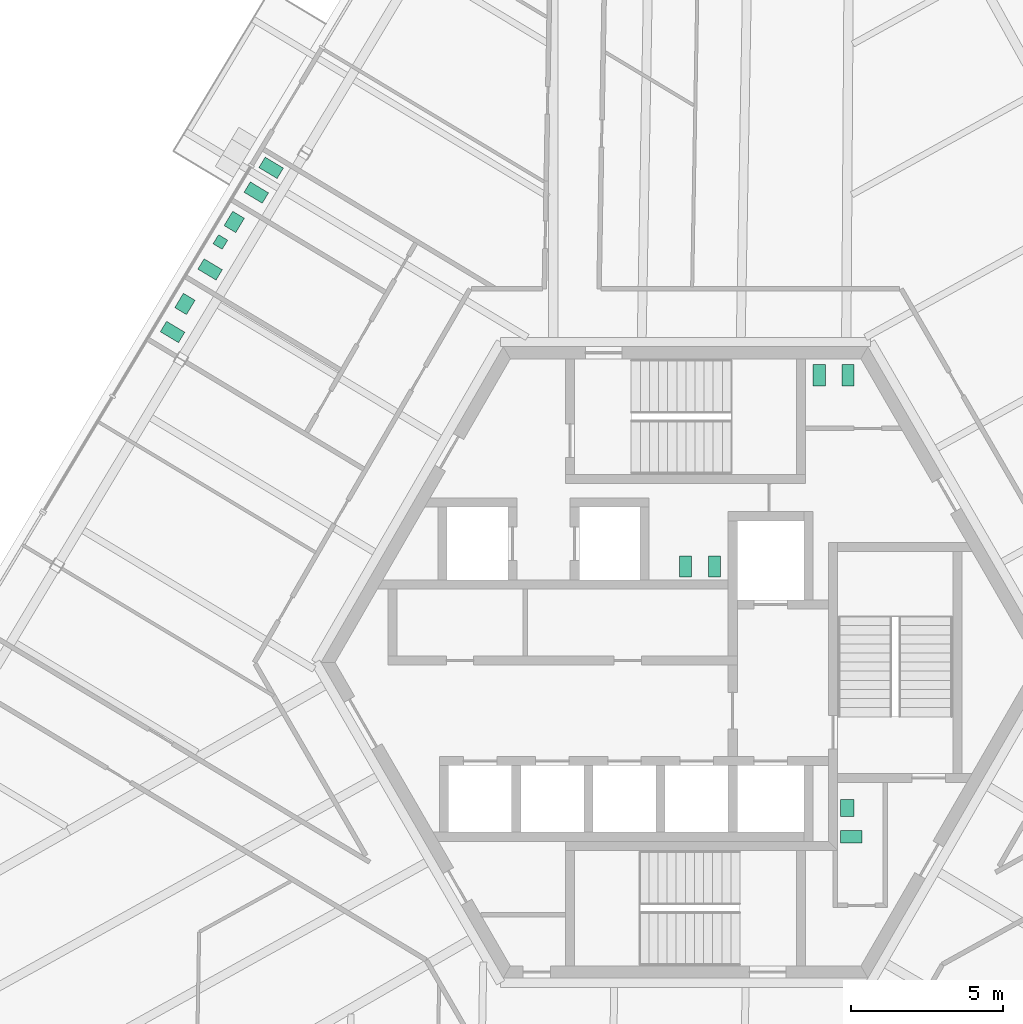
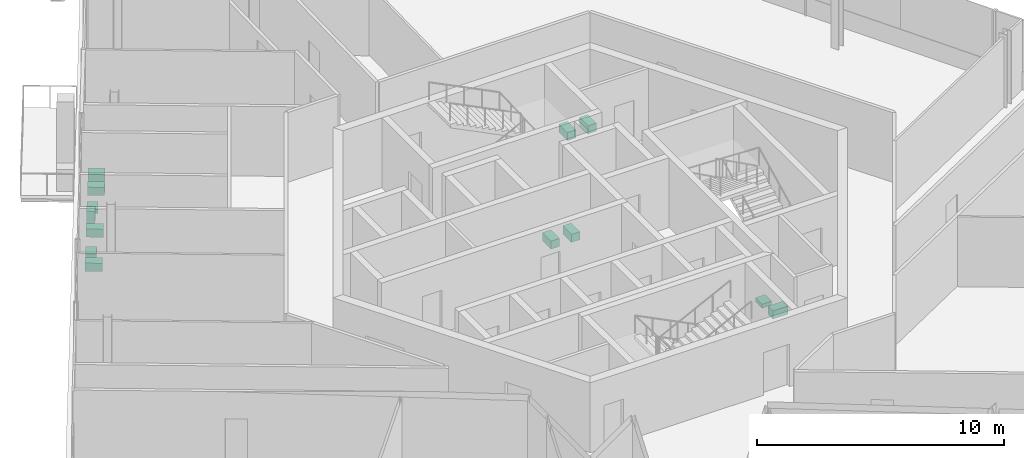
# One storey, part 17 of 19: 13 sanitary terminals.
"""IFC4 building model written with IfcOpenShell, lengths in metres."""

from ifc_helpers import new_model, si_unit, direction, frame, origin, origin_2d, place, context, subcontext, project, spatial, rectangle, extrude, source, transform, mapped, material, element, save


model = new_model("IFC4")

# Units and contexts
model_context = context("Model", 3, precision=1e-05, world=origin(), true_north=direction((0.0, 1.0)))
body_context = subcontext(model_context, "Body", "Model", "MODEL_VIEW")
ifc_project = project(units=[si_unit("LENGTHUNIT", "METRE"), si_unit("AREAUNIT", "SQUARE_METRE"), si_unit("VOLUMEUNIT", "CUBIC_METRE"), si_unit("PLANEANGLEUNIT", "RADIAN"), si_unit("MASSUNIT", "GRAM", prefix="KILO")], contexts=[model_context])

# Site, building, storey
site_placement = place(None, origin())
site = spatial("IfcSite", under=ifc_project, at=site_placement, CompositionType="ELEMENT")
building_placement = place(site_placement, origin())
building = spatial("IfcBuilding", under=site, at=building_placement, Name="Triune Harvest Tower", CompositionType="ELEMENT")
storey_placement = place(building_placement, frame((0.0, 0.0, 183.5)))
storey = spatial("IfcBuildingStorey", under=building, at=storey_placement, Name="L47", CompositionType="ELEMENT", Elevation=183.5)

# Sanitary terminals
ifc_material = material(Name="Vitreous china")
shared_shape_1 = source(origin(), body_context, "Body", "SweptSolid", [
    extrude(rectangle(XDim=0.39990234375, YDim=0.699951171875, at=origin_2d()), origin(), (0.0, 0.0, 1.0), 0.39990234375),
])
for number, where, z_axis, x_axis, name in (
    (1, (4.39990234375, 9.449951171875, 0.0), (0.0, 0.0, 1.0), (1.0, 0.0, 0.0), "Toilet pan L47.c01"),
    (2, (5.35009765625, 9.449951171875, 0.0), (0.0, 0.0, 1.0), (1.0, 0.0, 0.0), "Toilet pan L47.c02"),
    (3, (0.949951171875, 3.159912109375, 0.0), (0.0, 0.0, 1.0), (-1.0, 0.0, 0.0), "Toilet pan L47.c03"),
    (4, (0.0, 3.159912109375, 0.0), (0.0, 0.0, 1.0), (-1.0, 0.0, 0.0), "Toilet pan L47.c04"),
    (5, (5.449951171875, -5.739990234375, 0.0), (0.0, 0.0, 1.0), (0.0, 1.0, 0.0), "Toilet pan L47.c05"),
    (6, (-14.130615234375, 15.46435546875, 0.0), (0.0, 0.0, 1.0), (0.514993193029, 0.857194266858, 0.0), "Toilet pan 01"),
    (7, (-13.641357421875, 16.27880859375, 0.0), (0.0, 0.0, 1.0), (0.514993193029, 0.857194266858, 0.0), "Toilet pan 02"),
    (8, (-15.6513671875, 12.933349609375, 0.0), (0.0, 0.0, 1.0), (0.51502311444, 0.857176289682, 0.0), "Toilet pan 03"),
    (9, (-16.887451171875, 10.876220703125, 0.0), (0.0, 0.0, 1.0), (0.515008153813, 0.8571852784, 0.0), "Toilet pan 06"),
):
    element("IfcSanitaryTerminal", number, at=place(storey_placement, frame(where, z_axis=z_axis, x_axis=x_axis)), inside=storey, material=ifc_material, Name=name, PredefinedType="TOILETPAN", context=body_context, shape_type="MappedRepresentation", body=[
        mapped(shared_shape_1, transform((0.0, 0.0, 0.0), scale=1.0)),
    ])
shared_shape_2 = source(origin(), body_context, "Body", "SweptSolid", [
    extrude(rectangle(XDim=0.35009765625, YDim=0.35009765625, at=origin_2d()), origin(), (0.0, 0.0, 1.0), 0.60009765625),
])
sanitary_terminal_placement = place(storey_placement, frame((-15.31201171875, 13.837890625, 0.0), z_axis=(0.0, 0.0, 1.0), x_axis=(0.51502311444, 0.857176289682, 0.0)))
element("IfcSanitaryTerminal", 10, at=sanitary_terminal_placement, inside=storey, material=ifc_material, Name="Urinal 04", PredefinedType="URINAL", context=body_context, shape_type="MappedRepresentation", body=[
    mapped(shared_shape_2, transform((0.0, 0.0, 0.0), scale=1.0)),
])
shared_shape_3 = source(origin(), body_context, "Body", "SweptSolid", [
    extrude(rectangle(XDim=0.550048828125, YDim=0.449951171875, at=origin_2d()), origin(), (0.0, 0.0, 1.0), 0.199951171875),
])
for number, where, z_axis, x_axis, name in (
    (11, (5.324951171875, -4.7900390625, 0.0), (0.0, 0.0, 1.0), (0.0, 1.0, 0.0), "Wash basin L47.c06"),
    (12, (-14.857177734375, 14.497802734375, 0.0), (0.0, 0.0, 1.0), (0.51502311444, 0.857176289682, 0.0), "Wash basin 05"),
    (13, (-16.4794921875, 11.7978515625, 0.0), (0.0, 0.0, 1.0), (0.515008153813, 0.8571852784, 0.0), "Wash basin 07"),
):
    element("IfcSanitaryTerminal", number, at=place(storey_placement, frame(where, z_axis=z_axis, x_axis=x_axis)), inside=storey, material=ifc_material, Name=name, PredefinedType="WASHHANDBASIN", context=body_context, shape_type="MappedRepresentation", body=[
        mapped(shared_shape_3, transform((0.0, 0.0, 0.0), scale=1.0)),
    ])

save(model, "model.ifc")
